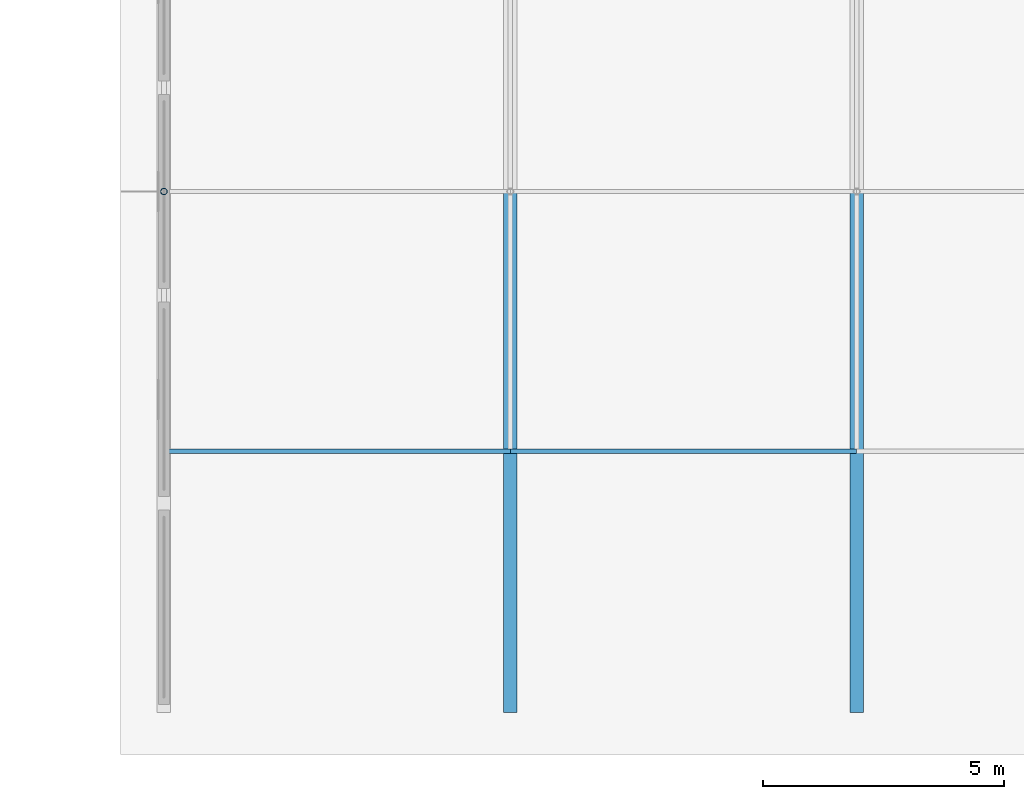
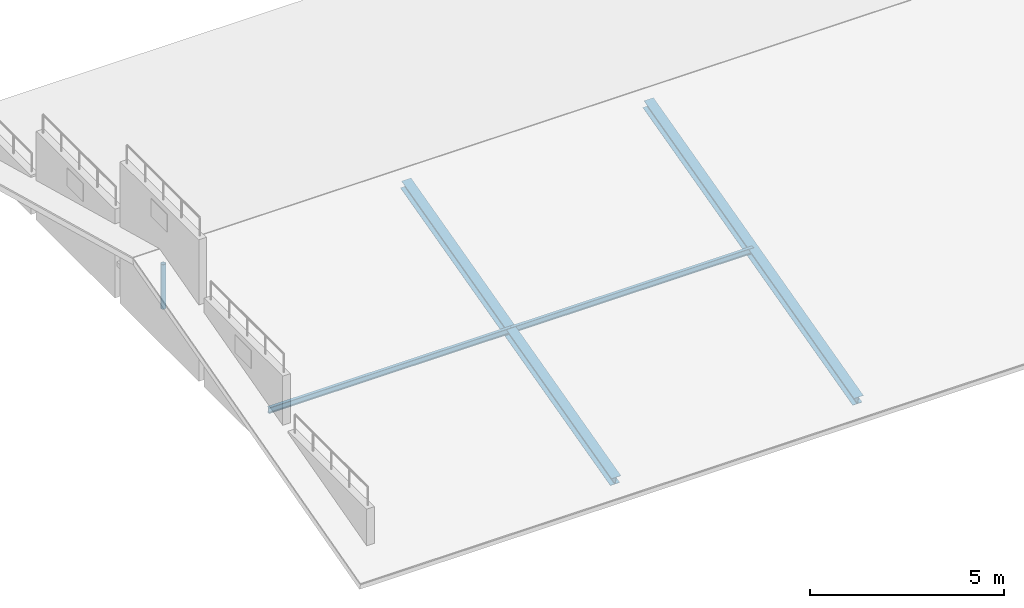
# One storey, part 13 of 124: 5 members.
"""IFC4 building model written with IfcOpenShell, lengths in metres."""

from ifc_helpers import new_model, si_unit, direction, frame, origin, origin_2d, place, context, subcontext, project, spatial, hollow_circle, i_section, extrude, material, material_profile, profile_set, type_object, element, save


model = new_model("IFC4")

# Units and contexts
model_context = context("Model", 3, precision=1e-05, world=origin(), true_north=direction((0.0, 1.0)))
body_context = subcontext(model_context, "Body", "Model", "MODEL_VIEW")
ifc_project = project(units=[si_unit("LENGTHUNIT", "METRE"), si_unit("AREAUNIT", "SQUARE_METRE"), si_unit("VOLUMEUNIT", "CUBIC_METRE"), si_unit("PLANEANGLEUNIT", "RADIAN"), si_unit("MASSUNIT", "GRAM", prefix="KILO"), si_unit("THERMODYNAMICTEMPERATUREUNIT", "KELVIN"), si_unit("POWERUNIT", "WATT")], contexts=[model_context])

# Site, building, storey
site_placement = place(None, origin())
site = spatial("IfcSite", under=ifc_project, at=site_placement, CompositionType="ELEMENT")
building_placement = place(site_placement, origin())
building = spatial("IfcBuilding", under=site, at=building_placement, Name="Tavuni Mirador Residences", CompositionType="ELEMENT")
storey_placement = place(building_placement, frame((0.0, 0.0, 7.64990234375)))
storey = spatial("IfcBuildingStorey", under=building, at=storey_placement, Name="L02", CompositionType="ELEMENT", Elevation=7.64990234375)

# Members
ifc_material = material(Name="Structural steel S355", Category="steel")
ifc_material_profile_1 = material_profile(ifc_material, hollow_circle(Radius=0.06982421875, WallThickness=0.008056640625, at=origin_2d()), Name="CHS 139.7x8.0", Category="steel")
ifc_profile_set_1 = profile_set([ifc_material_profile_1], Name="Structural steel S355")
member_type_1 = type_object("IfcMemberType", Name="MT-BR-CHS139", PredefinedType="BRACE", material=ifc_profile_set_1)
member_placement = place(storey_placement, frame((46.800048828125, 18.0, 1.050048828125), z_axis=(0.0, 0.0, 1.0), x_axis=(1.0, 0.0, 0.0)))
element("IfcMember", 1, at=member_placement, inside=storey, type_object=member_type_1, Name="RKP-PAV-SHOP-00", PredefinedType="BRACE", context=body_context, shape_type="SweptSolid", body=[
    extrude(hollow_circle(Radius=0.06982421875, WallThickness=0.008056640625, at=origin_2d()), origin(), (0.0, 0.0, 1.0), 1.400146484375),
])
ifc_material_profile_2 = material_profile(ifc_material, i_section(OverallWidth=0.280029296875, OverallDepth=0.27001953125, WebThickness=0.008056640625, FlangeThickness=0.012939453125, FilletRadius=0.02392578125, at=origin_2d()), Name="HEA 280", Category="steel")
ifc_profile_set_2 = profile_set([ifc_material_profile_2], Name="Structural steel S355")
member_type_2 = type_object("IfcMemberType", Name="MT-CH-HEA280", PredefinedType="CHORD", material=ifc_profile_set_2)
for number, where, z_axis, x_axis, name in (
    (2, (54.0, 7.199951171875, -0.349853515625), (0.0, 0.967996110632, 0.250965196393), (-1.0, 0.0, 0.0), "RAF-PAV-SHOP-01-S"),
    (3, (61.199951171875, 7.199951171875, -0.349853515625), (0.0, 0.967996110632, 0.250965196393), (-1.0, 0.0, 0.0), "RAF-PAV-SHOP-02-S"),
):
    element("IfcMember", number, at=place(storey_placement, frame(where, z_axis=z_axis, x_axis=x_axis)), inside=storey, type_object=member_type_2, Name=name, PredefinedType="CHORD", context=body_context, shape_type="SweptSolid", body=[
        extrude(i_section(OverallWidth=0.280029296875, OverallDepth=0.27001953125, WebThickness=0.008056640625, FlangeThickness=0.012939453125, FilletRadius=0.02392578125, at=origin_2d()), origin(), (0.0, 0.0, 1.0), 11.1572265625),
    ])
ifc_material_profile_3 = material_profile(ifc_material, i_section(OverallWidth=0.091064453125, OverallDepth=0.179931640625, WebThickness=0.00537109375, FlangeThickness=0.008056640625, FilletRadius=0.009033203125, at=origin_2d()), Name="IPE 180", Category="steel")
ifc_profile_set_3 = profile_set([ifc_material_profile_3], Name="Structural steel S355")
member_type_3 = type_object("IfcMemberType", Name="MT-PR-IPE180", PredefinedType="PURLIN", material=ifc_profile_set_3)
for number, where, z_axis, x_axis, name in (
    (4, (46.800048828125, 12.60009765625, 1.114990234375), (1.0, 0.0, 0.0), (0.0, 1.0, 0.0), "RPUR-PAV-SHOP-25-00"),
    (5, (54.0, 12.60009765625, 1.114990234375), (1.0, 0.0, 0.0), (0.0, 1.0, 0.0), "RPUR-PAV-SHOP-25-01"),
):
    element("IfcMember", number, at=place(storey_placement, frame(where, z_axis=z_axis, x_axis=x_axis)), inside=storey, type_object=member_type_3, Name=name, PredefinedType="PURLIN", context=body_context, shape_type="SweptSolid", body=[
        extrude(i_section(OverallWidth=0.091064453125, OverallDepth=0.179931640625, WebThickness=0.00537109375, FlangeThickness=0.008056640625, FilletRadius=0.009033203125, at=origin_2d()), origin(), (0.0, 0.0, 1.0), 7.199951171875),
    ])

save(model, "model.ifc")
